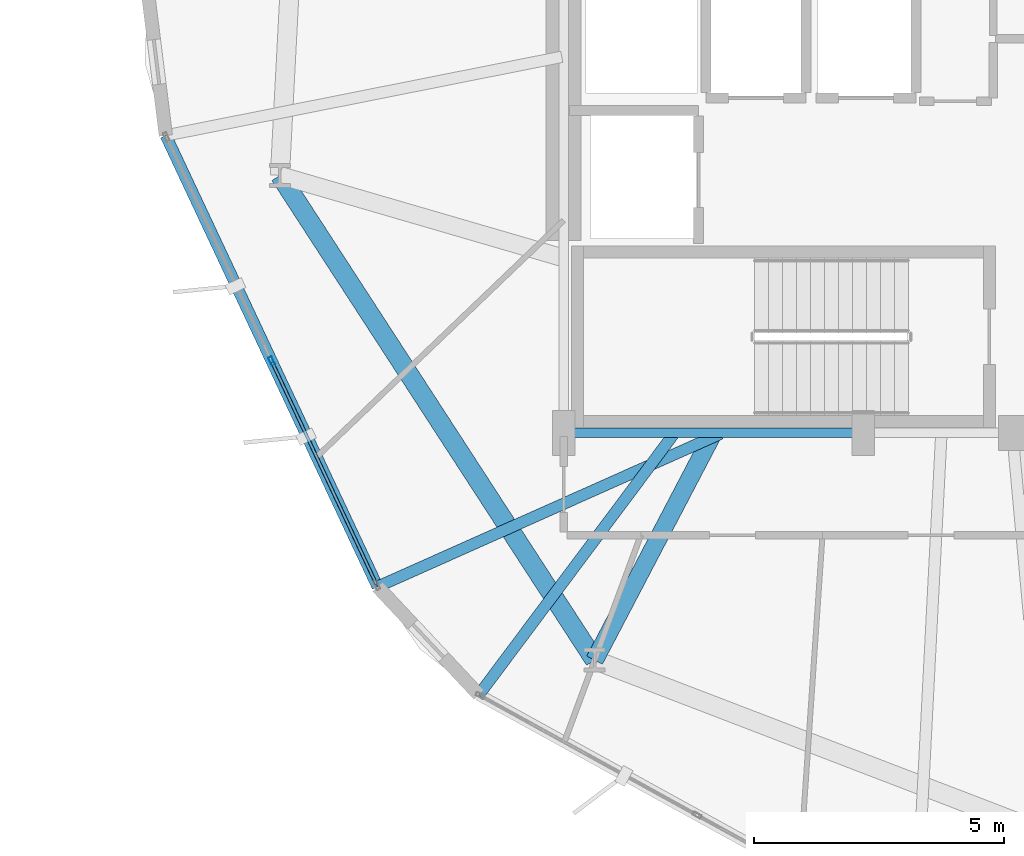
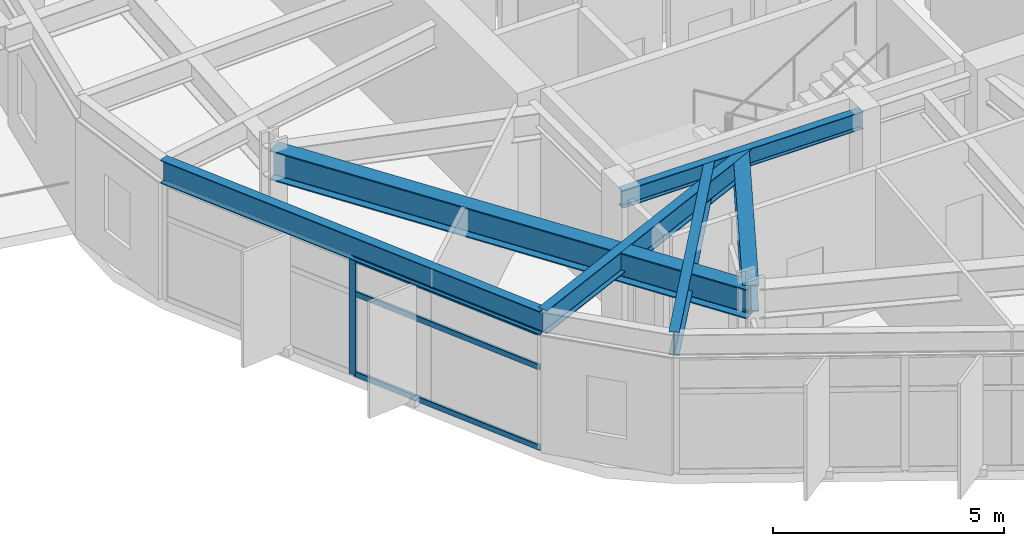
# One storey, part 3 of 22: 6 beams, 4 members, 1 element without a shape of its own.
"""IFC4 building model written with IfcOpenShell, lengths in metres."""

from ifc_helpers import new_model, si_unit, direction, frame, origin, origin_2d, place, context, subcontext, project, spatial, hollow_rectangle, i_section, extrude, material, layer, layer_set, material_profile, profile_set, type_object, element, aggregate, save


model = new_model("IFC4")

# Units and contexts
model_context = context("Model", 3, precision=1e-05, world=origin(), true_north=direction((0.0, 1.0)))
body_context = subcontext(model_context, "Body", "Model", "MODEL_VIEW")
ifc_project = project(units=[si_unit("LENGTHUNIT", "METRE"), si_unit("AREAUNIT", "SQUARE_METRE"), si_unit("VOLUMEUNIT", "CUBIC_METRE"), si_unit("PLANEANGLEUNIT", "RADIAN"), si_unit("MASSUNIT", "GRAM", prefix="KILO")], contexts=[model_context])

# Site, building, storey
site_placement = place(None, origin())
site = spatial("IfcSite", under=ifc_project, at=site_placement, CompositionType="ELEMENT")
building_placement = place(site_placement, origin())
building = spatial("IfcBuilding", under=site, at=building_placement, Name="Soratama Intermodal Tower", CompositionType="ELEMENT")
storey_placement = place(building_placement, frame((0.0, 0.0, 54.60009765625)))
storey = spatial("IfcBuildingStorey", under=building, at=storey_placement, Name="L12", CompositionType="ELEMENT", Elevation=54.60009765625)

# Beams
ifc_material_1 = material(Name="Structural steel ASTM A992 Grade 50", Category="steel")
ifc_material_profile_1 = material_profile(ifc_material_1, i_section(OverallWidth=0.19091796875, OverallDepth=0.4599609375, WebThickness=0.010009765625, FlangeThickness=0.01611328125, FilletRadius=0.010986328125, at=origin_2d()), Name="W18X55")
ifc_profile_set_1 = profile_set([ifc_material_profile_1], Name="Structural steel ASTM A992 Grade 50")
beam_type_1 = type_object("IfcBeamType", Name="BM-FLR-W18X55", PredefinedType="BEAM", material=ifc_profile_set_1)
beam_1_placement = place(storey_placement, frame((32.60009765625, 15.0, 3.469970703125), z_axis=(1.0, 0.0, 0.0), x_axis=(0.0, 1.0, 0.0)))
element("IfcBeam", 1, at=beam_1_placement, inside=storey, type_object=beam_type_1, Name="BM-L12-CRING-01", PredefinedType="BEAM", context=body_context, shape_type="SweptSolid", body=[
    extrude(i_section(OverallWidth=0.19091796875, OverallDepth=0.4599609375, WebThickness=0.010009765625, FlangeThickness=0.01611328125, FilletRadius=0.010986328125, at=origin_2d()), origin(), (0.0, 0.0, 1.0), 6.0),
])
ifc_material_2 = material(Name="Structural steel ASTM A992 Grade 50", Category="steel")
ifc_material_profile_2 = material_profile(ifc_material_2, i_section(OverallWidth=0.35498046875, OverallDepth=0.695068359375, WebThickness=0.015380859375, FlangeThickness=0.02490234375, FilletRadius=0.01611328125, at=origin_2d()), Name="W27X146")
ifc_profile_set_2 = profile_set([ifc_material_profile_2], Name="Structural steel ASTM A992 Grade 50")
beam_type_2 = type_object("IfcBeamType", Name="BM-RING-W27X146", PredefinedType="BEAM", material=ifc_profile_set_2)
beam_2_placement = place(storey_placement, frame((35.60009765625, 15.0, 3.352294921875), z_axis=(-0.463818619792, -0.885930182314, 0.0), x_axis=(0.885930182314, -0.463818619792, 0.0)))
element("IfcBeam", 2, at=beam_2_placement, inside=storey, type_object=beam_type_2, Name="BM-L12-RAD-07", PredefinedType="BEAM", context=body_context, shape_type="SweptSolid", body=[
    extrude(i_section(OverallWidth=0.35498046875, OverallDepth=0.695068359375, WebThickness=0.015380859375, FlangeThickness=0.02490234375, FilletRadius=0.01611328125, at=origin_2d()), origin(), (0.0, 0.0, 1.0), 5.1337890625),
])
ifc_material_3 = material(Name="Structural steel ASTM A992 Grade 50", Category="steel")
ifc_material_profile_3 = material_profile(ifc_material_3, i_section(OverallWidth=0.382080078125, OverallDepth=0.779052734375, WebThickness=0.01806640625, FlangeThickness=0.030029296875, FilletRadius=0.01806640625, at=origin_2d()), Name="W30X191")
ifc_profile_set_3 = profile_set([ifc_material_profile_3], Name="Structural steel ASTM A992 Grade 50")
beam_type_3 = type_object("IfcBeamType", Name="BM-RING-W30X191", PredefinedType="BEAM", material=ifc_profile_set_3)
beam_3_placement = place(storey_placement, frame((26.91796875, 20.155029296875, 3.310302734375), z_axis=(0.544623370352, -0.838680740489, 0.0), x_axis=(0.838680740489, 0.544623370352, 0.0)))
element("IfcBeam", 3, at=beam_3_placement, inside=storey, type_object=beam_type_3, Name="BM-L12-RING-06", PredefinedType="BEAM", context=body_context, shape_type="SweptSolid", body=[
    extrude(i_section(OverallWidth=0.382080078125, OverallDepth=0.779052734375, WebThickness=0.01806640625, FlangeThickness=0.030029296875, FilletRadius=0.01806640625, at=origin_2d()), origin(), (0.0, 0.0, 1.0), 11.569580078125),
])
ifc_material_4 = material(Name="Structural steel ASTM A992 Grade 50", Category="steel")
ifc_material_profile_4 = material_profile(ifc_material_4, i_section(OverallWidth=0.22900390625, OverallDepth=0.612060546875, WebThickness=0.011962890625, FlangeThickness=0.01953125, FilletRadius=0.012939453125, at=origin_2d()), Name="W24X84")
ifc_profile_set_4 = profile_set([ifc_material_profile_4], Name="Structural steel ASTM A992 Grade 50")
beam_type_4 = type_object("IfcBeamType", Name="BM-SPN-W24X84", PredefinedType="SPANDREL", material=ifc_profile_set_4)
beam_4_placement = place(storey_placement, frame((24.633056640625, 20.9541015625, 3.393798828125), z_axis=(0.424862542276, -0.905257874957, 0.0), x_axis=(0.905257874957, 0.424862542276, 0.0)))
element("IfcBeam", 4, at=beam_4_placement, inside=storey, type_object=beam_type_4, Name="BS-L12-F06", PredefinedType="SPANDREL", context=body_context, shape_type="SweptSolid", body=[
    extrude(i_section(OverallWidth=0.22900390625, OverallDepth=0.612060546875, WebThickness=0.011962890625, FlangeThickness=0.01953125, FilletRadius=0.012939453125, at=origin_2d()), origin(), (0.0, 0.0, 1.0), 9.979736328125),
])
ifc_material_5 = material(Name="Structural steel ASTM A992 Grade 50", Category="steel")
ifc_material_profile_5 = material_profile(ifc_material_5, i_section(OverallWidth=0.22900390625, OverallDepth=0.612060546875, WebThickness=0.011962890625, FlangeThickness=0.01953125, FilletRadius=0.012939453125, at=origin_2d()), Name="W24X84")
ifc_profile_set_5 = profile_set([ifc_material_profile_5], Name="Structural steel ASTM A992 Grade 50")
beam_type_5 = type_object("IfcBeamType", Name="BM-TIE-W24X84", PredefinedType="BEAM", material=ifc_profile_set_5)
beam_5_placement = place(storey_placement, frame((35.739990234375, 14.98388671875, 3.393798828125), z_axis=(-0.913218796274, -0.407469545036, 0.0), x_axis=(0.407469545036, -0.913218796274, 0.0)))
element("IfcBeam", 5, at=beam_5_placement, inside=storey, type_object=beam_type_5, Name="BM-L12-TIE1-06", PredefinedType="BEAM", context=body_context, shape_type="SweptSolid", body=[
    extrude(i_section(OverallWidth=0.22900390625, OverallDepth=0.612060546875, WebThickness=0.011962890625, FlangeThickness=0.01953125, FilletRadius=0.012939453125, at=origin_2d()), origin(), (0.0, 0.0, 1.0), 7.51953125),
])
beam_6_placement = place(storey_placement, frame((34.7958984375, 14.968017578125, 3.393798828125), z_axis=(-0.598540355989, -0.801092655223, 0.0), x_axis=(0.801092655223, -0.598540355989, 0.0)))
element("IfcBeam", 6, at=beam_6_placement, inside=storey, type_object=beam_type_5, Name="BM-L12-TIE0-07", PredefinedType="BEAM", context=body_context, shape_type="SweptSolid", body=[
    extrude(i_section(OverallWidth=0.22900390625, OverallDepth=0.612060546875, WebThickness=0.011962890625, FlangeThickness=0.01953125, FilletRadius=0.012939453125, at=origin_2d()), origin(), (0.0, 0.0, 1.0), 6.507568359375),
])

# Curtain wall, members
ifc_material_6 = material(Name="Double-glazed aluminium curtain wall", Category="aluminium")
ifc_layer = layer(ifc_material_6, 0.159912109375)
ifc_layer_set = layer_set([ifc_layer], Name="Double-glazed aluminium curtain wall")
curtain_wall_type = type_object("IfcCurtainWallType", Name="CW-SYS-2", PredefinedType="NOTDEFINED", material=ifc_layer_set)
curtain_wall_placement = place(storey_placement, origin())
curtain_wall = element("IfcCurtainWall", 7, at=curtain_wall_placement, inside=storey, type_object=curtain_wall_type, Name="L12 Faceted Curtain Wall F06", PredefinedType="NOTDEFINED")
ifc_material_7 = material(Name="Anodised aluminium AA 6063-T6", Category="aluminium")
ifc_material_profile_6 = material_profile(ifc_material_7, hollow_rectangle(XDim=0.074951171875, YDim=0.179931640625, WallThickness=0.006103515625, InnerFilletRadius=0.006103515625, OuterFilletRadius=0.011962890625, at=origin_2d()), Name="CWM180X75X6")
ifc_profile_set_6 = profile_set([ifc_material_profile_6], Name="Anodised aluminium AA 6063-T6")
member_type_1 = type_object("IfcMemberType", Name="MT-CWM-2", PredefinedType="MULLION", material=ifc_profile_set_6)
member_1_placement = place(storey_placement, frame((26.753173828125, 16.43701171875, 0.0), z_axis=(0.0, 0.0, 1.0), x_axis=(0.905273754892, 0.424828705132, 0.0)))
member_1 = element("IfcMember", 8, at=member_1_placement, type_object=member_type_1, Name="CW-2 mullion 2", PredefinedType="MULLION", context=body_context, shape_type="SweptSolid", body=[
    extrude(hollow_rectangle(XDim=0.074951171875, YDim=0.179931640625, WallThickness=0.006103515625, InnerFilletRadius=0.006103515625, OuterFilletRadius=0.011962890625, at=origin_2d()), origin(), (0.0, 0.0, 1.0), 3.078857421875),
])
ifc_material_8 = material(Name="Anodised aluminium AA 6063-T6", Category="aluminium")
ifc_material_profile_7 = material_profile(ifc_material_8, hollow_rectangle(XDim=0.06494140625, YDim=0.14990234375, WallThickness=0.0048828125, InnerFilletRadius=0.0048828125, OuterFilletRadius=0.010009765625, at=origin_2d()), Name="CWT150X65X5")
ifc_profile_set_7 = profile_set([ifc_material_profile_7], Name="Anodised aluminium AA 6063-T6")
member_type_2 = type_object("IfcMemberType", Name="TT-CWT-1", PredefinedType="USERDEFINED", material=ifc_profile_set_7)
member_2_placement = place(storey_placement, frame((26.765869140625, 16.409912109375, 0.02978515625), z_axis=(0.424832138709, -0.905272143568, 0.0), x_axis=(0.905272143568, 0.424832138709, 0.0)))
member_2 = element("IfcMember", 9, at=member_2_placement, type_object=member_type_2, Name="CW-2 transom 2.1", ObjectType="TRANSOM", PredefinedType="USERDEFINED", context=body_context, shape_type="SweptSolid", body=[
    extrude(hollow_rectangle(XDim=0.06494140625, YDim=0.14990234375, WallThickness=0.0048828125, InnerFilletRadius=0.0048828125, OuterFilletRadius=0.010009765625, at=origin_2d()), origin(), (0.0, 0.0, 1.0), 4.899658203125),
])
member_3_placement = place(storey_placement, frame((26.765869140625, 16.409912109375, 2.14990234375), z_axis=(0.424832138709, -0.905272143568, 0.0), x_axis=(0.905272143568, 0.424832138709, 0.0)))
member_3 = element("IfcMember", 10, at=member_3_placement, type_object=member_type_2, Name="CW-2 transom 2.2", ObjectType="TRANSOM", PredefinedType="USERDEFINED", context=body_context, shape_type="SweptSolid", body=[
    extrude(hollow_rectangle(XDim=0.06494140625, YDim=0.14990234375, WallThickness=0.0048828125, InnerFilletRadius=0.0048828125, OuterFilletRadius=0.010009765625, at=origin_2d()), origin(), (0.0, 0.0, 1.0), 4.899658203125),
])
member_4_placement = place(storey_placement, frame((26.765869140625, 16.409912109375, 3.048828125), z_axis=(0.424832138709, -0.905272143568, 0.0), x_axis=(0.905272143568, 0.424832138709, 0.0)))
member_4 = element("IfcMember", 11, at=member_4_placement, type_object=member_type_2, Name="CW-2 transom 2.3", ObjectType="TRANSOM", PredefinedType="USERDEFINED", context=body_context, shape_type="SweptSolid", body=[
    extrude(hollow_rectangle(XDim=0.06494140625, YDim=0.14990234375, WallThickness=0.0048828125, InnerFilletRadius=0.0048828125, OuterFilletRadius=0.010009765625, at=origin_2d()), origin(), (0.0, 0.0, 1.0), 4.899658203125),
])
aggregate(curtain_wall, [member_1, member_2, member_3, member_4])

save(model, "model.ifc")
